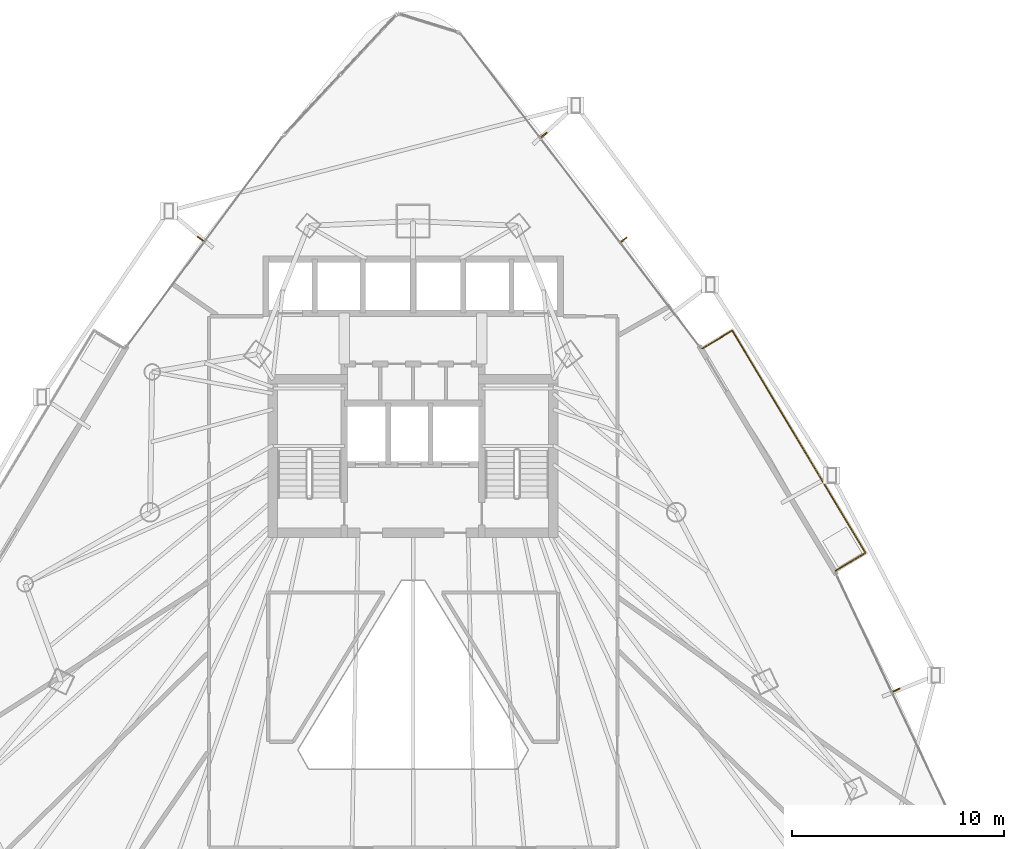
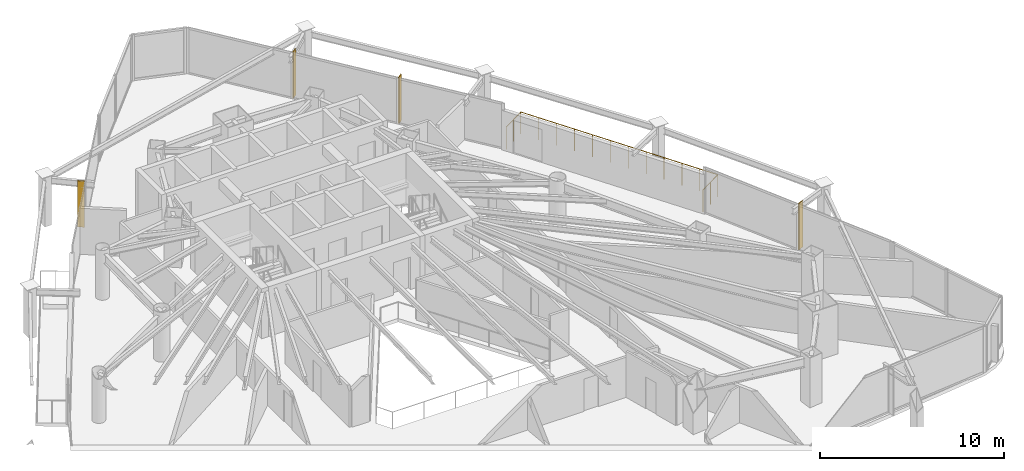
# One storey, part 33 of 33: 4 shading devices, 1 railing.
"""IFC4 building model written with IfcOpenShell, lengths in metres."""

from ifc_helpers import new_model, si_unit, direction, frame, origin, origin_2d, place, context, subcontext, project, spatial, rectangle, circle, extrude, material, layer, layer_set, type_object, element, save


model = new_model("IFC4")

# Units and contexts
model_context = context("Model", 3, precision=1e-05, world=origin(), true_north=direction((0.0, 1.0)))
body_context = subcontext(model_context, "Body", "Model", "MODEL_VIEW")
ifc_project = project(units=[si_unit("LENGTHUNIT", "METRE"), si_unit("AREAUNIT", "SQUARE_METRE"), si_unit("VOLUMEUNIT", "CUBIC_METRE"), si_unit("PLANEANGLEUNIT", "RADIAN"), si_unit("MASSUNIT", "GRAM", prefix="KILO")], contexts=[model_context])

# Site, building, storey
site_placement = place(None, origin())
site = spatial("IfcSite", under=ifc_project, at=site_placement, CompositionType="ELEMENT")
building_placement = place(site_placement, origin())
building = spatial("IfcBuilding", under=site, at=building_placement, Name="Orvanel Arch Residences", CompositionType="ELEMENT")
storey_placement = place(building_placement, frame((0.0, 0.0, 70.85009765625)))
storey = spatial("IfcBuildingStorey", under=building, at=storey_placement, Name="L19", CompositionType="ELEMENT", Elevation=70.85009765625)

# Shading devices
ifc_material = material(Name="Bronze-anodised aluminium AA6063-T6", Category="aluminium")
ifc_layer = layer(ifc_material, 0.06005859375)
ifc_layer_set = layer_set([ifc_layer], Name="Bronze-anodised aluminium AA6063-T6")
shading_device_type = type_object("IfcShadingDeviceType", Name="FIN-BRZ-380", PredefinedType="USERDEFINED", material=ifc_layer_set)
for number, where, z_axis, x_axis, name in (
    (1, (22.964111328125, 40.551025390625, -0.000244140625), (0.0, 0.0, 1.0), (-0.802817475191, 0.596224874966, 0.0), "L19 Anodised Bronze Mullion FIN 01"),
    (2, (55.822021484375, 19.236083984375, -0.000244140625), (0.0, 0.0, 1.0), (0.904082549661, 0.427357863387, 0.0), "L19 Anodised Bronze Mullion FIN 01"),
    (3, (42.9580078125, 40.51611328125, -0.000244140625), (0.0, 0.0, 1.0), (0.794414620535, 0.607375839723, 0.0), "L19 Anodised Bronze Mullion FIN 01"),
    (4, (39.178955078125, 45.467041015625, -0.000244140625), (0.0, 0.0, 1.0), (0.794414620535, 0.607375839723, 0.0), "L19 Anodised Bronze Mullion FIN 02"),
):
    element("IfcShadingDevice", number, at=place(storey_placement, frame(where, z_axis=z_axis, x_axis=x_axis)), inside=storey, type_object=shading_device_type, Name=name, ObjectType="FIN", PredefinedType="USERDEFINED", context=body_context, shape_type="SweptSolid", body=[
        extrude(rectangle(XDim=0.3798828125, YDim=0.06005859375, at=origin_2d()), origin(), (0.0, 0.0, 1.0), 3.06005859375),
    ])

# Railing
railing_type = type_object("IfcRailingType", Name="RL-BAL-1480", PredefinedType="BALUSTRADE", material=ifc_material)
railing_placement = place(storey_placement, frame((52.968994140625, 24.8759765625, 0.0)))
element("IfcRailing", 5, at=railing_placement, inside=storey, type_object=railing_type, Name="L19 Balcony Perimeter Guardrail Face 3", PredefinedType="BALUSTRADE", context=body_context, shape_type="SweptSolid", body=[
    extrude(circle(Radius=0.02392578125, at=origin_2d()), frame((0.001220703125, 0.000732421875, 1.4560546875), z_axis=(0.857545439568, 0.514408222208, 0.0), x_axis=(-0.514408222208, 0.857545439568, 0.0)), (0.0, 0.0, 1.0), 1.6376953125),
    extrude(circle(Radius=0.02392578125, at=origin_2d()), frame((1.40625, 0.84521484375, 1.4560546875), z_axis=(-0.514393151016, 0.857554480012, 0.0), x_axis=(-0.857554480012, -0.514393151016, 0.0)), (0.0, 0.0, 1.0), 12.24462890625),
    extrude(circle(Radius=0.02392578125, at=origin_2d()), frame((-4.894287109375, 11.34619140625, 1.4560546875), z_axis=(-0.857387817543, -0.514670895164, 0.0), x_axis=(0.514670895164, -0.857387817543, 0.0)), (0.0, 0.0, 1.0), 1.636962890625),
    extrude(circle(Radius=0.02099609375, at=origin_2d()), origin(), (0.0, 0.0, 1.0), 1.429931640625),
    extrude(circle(Radius=0.02099609375, at=origin_2d()), frame((0.70361328125, 0.421875, 0.0)), (0.0, 0.0, 1.0), 1.429931640625),
    extrude(circle(Radius=0.02099609375, at=origin_2d()), frame((1.406982421875, 0.843994140625, 0.0)), (0.0, 0.0, 1.0), 1.429931640625),
    extrude(circle(Radius=0.02099609375, at=origin_2d()), frame((0.834228515625, 1.798828125, 0.0)), (0.0, 0.0, 1.0), 1.429931640625),
    extrude(circle(Radius=0.02099609375, at=origin_2d()), frame((0.261474609375, 2.753662109375, 0.0)), (0.0, 0.0, 1.0), 1.429931640625),
    extrude(circle(Radius=0.02099609375, at=origin_2d()), frame((-0.311279296875, 3.70849609375, 0.0)), (0.0, 0.0, 1.0), 1.429931640625),
    extrude(circle(Radius=0.02099609375, at=origin_2d()), frame((-0.884033203125, 4.663330078125, 0.0)), (0.0, 0.0, 1.0), 1.429931640625),
    extrude(circle(Radius=0.02099609375, at=origin_2d()), frame((-1.456787109375, 5.6181640625, 0.0)), (0.0, 0.0, 1.0), 1.429931640625),
    extrude(circle(Radius=0.02099609375, at=origin_2d()), frame((-2.029296875, 6.57275390625, 0.0)), (0.0, 0.0, 1.0), 1.429931640625),
    extrude(circle(Radius=0.02099609375, at=origin_2d()), frame((-2.60205078125, 7.527587890625, 0.0)), (0.0, 0.0, 1.0), 1.429931640625),
    extrude(circle(Radius=0.02099609375, at=origin_2d()), frame((-3.1748046875, 8.482421875, 0.0)), (0.0, 0.0, 1.0), 1.429931640625),
    extrude(circle(Radius=0.02099609375, at=origin_2d()), frame((-3.74755859375, 9.437255859375, 0.0)), (0.0, 0.0, 1.0), 1.429931640625),
    extrude(circle(Radius=0.02099609375, at=origin_2d()), frame((-4.3203125, 10.39208984375, 0.0)), (0.0, 0.0, 1.0), 1.429931640625),
    extrude(circle(Radius=0.02099609375, at=origin_2d()), frame((-4.89306640625, 11.346923828125, 0.0)), (0.0, 0.0, 1.0), 1.429931640625),
    extrude(circle(Radius=0.02099609375, at=origin_2d()), frame((-5.59619140625, 10.9248046875, 0.0)), (0.0, 0.0, 1.0), 1.429931640625),
    extrude(circle(Radius=0.02099609375, at=origin_2d()), frame((-6.299072265625, 10.5029296875, 0.0)), (0.0, 0.0, 1.0), 1.429931640625),
])

save(model, "model.ifc")
